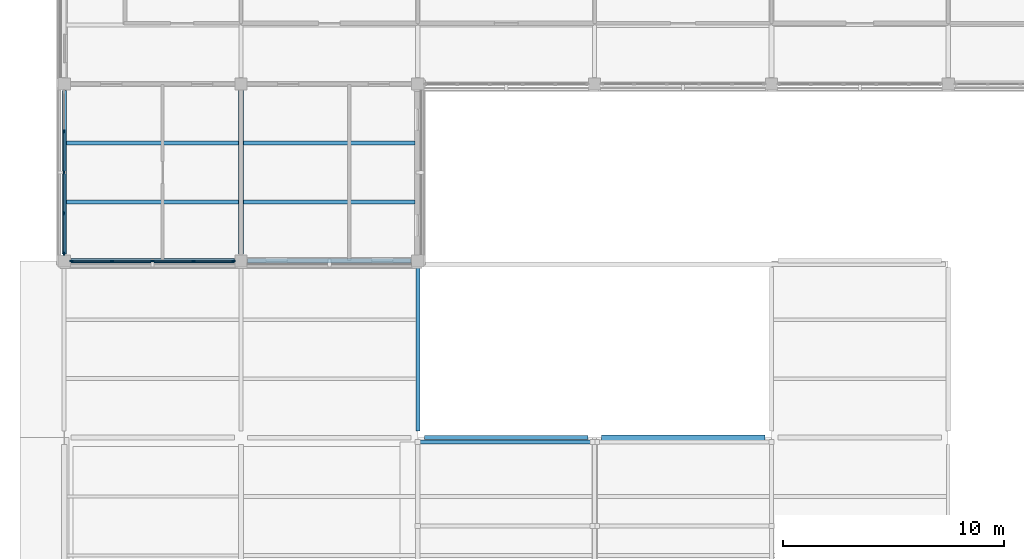
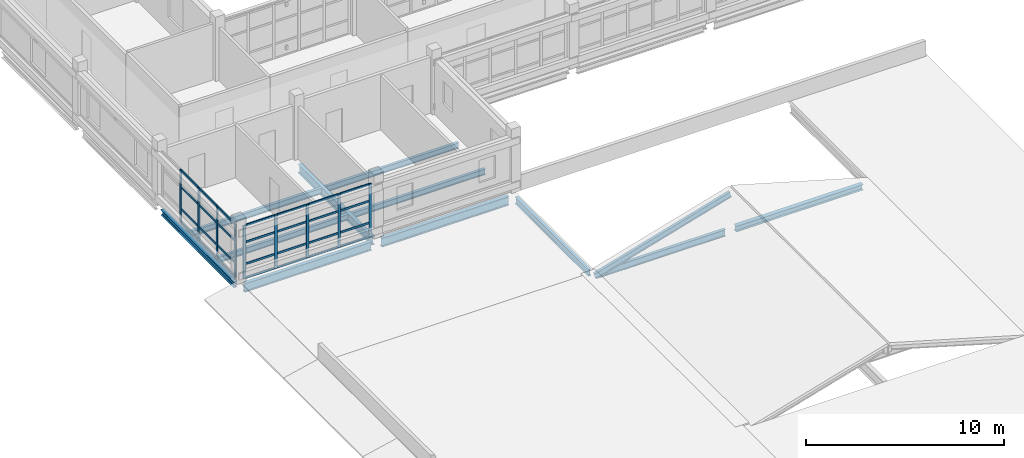
# One storey, part 8 of 107: 38 members, 11 beams, 2 elements without a shape of their own.
"""IFC4 building model written with IfcOpenShell, lengths in metres."""

from ifc_helpers import new_model, si_unit, derived_unit, direction, frame, origin, origin_2d, place, context, subcontext, project, spatial, rectangle, i_section, extrude, material, layer, layer_set, material_profile, profile_set, type_object, element, aggregate, save


model = new_model("IFC4")

# Units and contexts
model_context = context("Model", 3, precision=1e-05, world=origin(), true_north=direction((0.0, 1.0)))
body_context = subcontext(model_context, "Body", "Model", "MODEL_VIEW")
ifc_project = project(units=[si_unit("LENGTHUNIT", "METRE"), si_unit("AREAUNIT", "SQUARE_METRE"), si_unit("VOLUMEUNIT", "CUBIC_METRE"), si_unit("PLANEANGLEUNIT", "RADIAN"), si_unit("MASSUNIT", "GRAM", prefix="KILO"), derived_unit("THERMALTRANSMITTANCEUNIT", [(si_unit("MASSUNIT", "GRAM", prefix="KILO"), 1), (si_unit("TIMEUNIT", "SECOND"), -3), (si_unit("THERMODYNAMICTEMPERATUREUNIT", "KELVIN"), -1)])], contexts=[model_context])

# Site, building, storey
site_placement = place(None, origin())
site = spatial("IfcSite", under=ifc_project, at=site_placement, CompositionType="ELEMENT")
building_placement = place(site_placement, origin())
building = spatial("IfcBuilding", under=site, at=building_placement, Name="Veyamyaing Civic Hall", CompositionType="ELEMENT")
storey_placement = place(building_placement, frame((0.0, 0.0, 13.860107421875)))
storey = spatial("IfcBuildingStorey", under=building, at=storey_placement, Name="L03", CompositionType="ELEMENT", Elevation=13.860107421875)

# Beams
ifc_material_1 = material(Name="Steel ASTM A992", Category="steel")
ifc_material_profile_1 = material_profile(ifc_material_1, i_section(OverallWidth=0.208984375, OverallDepth=0.532958984375, WebThickness=0.01025390625, FlangeThickness=0.015625, FilletRadius=0.011962890625, at=origin_2d()), Name="W530X92")
ifc_profile_set_1 = profile_set([ifc_material_profile_1], Name="Steel ASTM A992")
beam_type_1 = type_object("IfcBeamType", Name="B-07", PredefinedType="BEAM", material=ifc_profile_set_1)
beam_1_placement = place(storey_placement, frame((0.300048828125, 40.0, -0.521728515625), z_axis=(1.0, 0.0, 0.0), x_axis=(0.0, 1.0, 0.0)))
element("IfcBeam", 1, at=beam_1_placement, inside=storey, type_object=beam_type_1, Name="Girder B-07 L03 Grid F 1-2", PredefinedType="BEAM", context=body_context, shape_type="SweptSolid", body=[
    extrude(i_section(OverallWidth=0.208984375, OverallDepth=0.532958984375, WebThickness=0.01025390625, FlangeThickness=0.015625, FilletRadius=0.011962890625, at=origin_2d()), origin(), (0.0, 0.0, 1.0), 7.39990234375),
])
ifc_material_profile_2 = material_profile(ifc_material_1, i_section(OverallWidth=0.2041015625, OverallDepth=0.35009765625, WebThickness=0.0078125, FlangeThickness=0.01513671875, FilletRadius=0.010009765625, at=origin_2d()), Name="W360X72")
ifc_profile_set_2 = profile_set([ifc_material_profile_2], Name="Steel ASTM A992")
beam_type_2 = type_object("IfcBeamType", Name="B-11", PredefinedType="SPANDREL", material=ifc_profile_set_2)
beam_2_placement = place(storey_placement, frame((0.0, 40.300048828125, -0.43017578125), z_axis=(0.0, 1.0, 0.0), x_axis=(-1.0, 0.0, 0.0)))
element("IfcBeam", 2, at=beam_2_placement, inside=storey, type_object=beam_type_2, Name="Girder B-11 L03 Grid 1 F-G", PredefinedType="SPANDREL", context=body_context, shape_type="SweptSolid", body=[
    extrude(i_section(OverallWidth=0.2041015625, OverallDepth=0.35009765625, WebThickness=0.0078125, FlangeThickness=0.01513671875, FilletRadius=0.010009765625, at=origin_2d()), origin(), (0.0, 0.0, 1.0), 7.39990234375),
])
ifc_material_profile_3 = material_profile(ifc_material_1, i_section(OverallWidth=0.214111328125, OverallDepth=0.549072265625, WebThickness=0.0146484375, FlangeThickness=0.023681640625, FilletRadius=0.011962890625, at=origin_2d()), Name="W530X138")
ifc_profile_set_3 = profile_set([ifc_material_profile_3], Name="Steel ASTM A992")
beam_type_3 = type_object("IfcBeamType", Name="B-16", PredefinedType="BEAM", material=ifc_profile_set_3)
beam_3_placement = place(storey_placement, frame((8.300048828125, 40.0, -0.529541015625), z_axis=(1.0, 0.0, 0.0), x_axis=(0.0, 1.0, 0.0)))
element("IfcBeam", 3, at=beam_3_placement, inside=storey, type_object=beam_type_3, Name="Girder B-16 L03 Grid F 2-3", PredefinedType="BEAM", context=body_context, shape_type="SweptSolid", body=[
    extrude(i_section(OverallWidth=0.214111328125, OverallDepth=0.549072265625, WebThickness=0.0146484375, FlangeThickness=0.023681640625, FilletRadius=0.011962890625, at=origin_2d()), origin(), (0.0, 0.0, 1.0), 7.39990234375),
])
ifc_material_profile_4 = material_profile(ifc_material_1, i_section(OverallWidth=0.2109375, OverallDepth=0.5390625, WebThickness=0.01171875, FlangeThickness=0.018798828125, FilletRadius=0.011962890625, at=origin_2d()), Name="W530X109")
ifc_profile_set_4 = profile_set([ifc_material_profile_4], Name="Steel ASTM A992")
beam_type_4 = type_object("IfcBeamType", Name="B-17", PredefinedType="BEAM", material=ifc_profile_set_4)
beam_4_placement = place(storey_placement, frame((8.0, 40.300048828125, -0.524658203125), z_axis=(0.0, 1.0, 0.0), x_axis=(-1.0, 0.0, 0.0)))
element("IfcBeam", 4, at=beam_4_placement, inside=storey, type_object=beam_type_4, Name="Girder B-17 L03 Grid 2 F-G", PredefinedType="BEAM", context=body_context, shape_type="SweptSolid", body=[
    extrude(i_section(OverallWidth=0.2109375, OverallDepth=0.5390625, WebThickness=0.01171875, FlangeThickness=0.018798828125, FilletRadius=0.011962890625, at=origin_2d()), origin(), (0.0, 0.0, 1.0), 7.39990234375),
])
ifc_material_profile_5 = material_profile(ifc_material_1, i_section(OverallWidth=0.180908203125, OverallDepth=0.4169921875, WebThickness=0.010986328125, FlangeThickness=0.018310546875, FilletRadius=0.010009765625, at=origin_2d()), Name="W410X85")
ifc_profile_set_5 = profile_set([ifc_material_profile_5], Name="Steel ASTM A992")
beam_type_5 = type_object("IfcBeamType", Name="B-19", PredefinedType="SPANDREL", material=ifc_profile_set_5)
for number, where, z_axis, x_axis, name in (
    (5, (16.300048828125, 32.0, -0.463623046875), (1.0, 0.0, 0.0), (0.0, 1.0, 0.0), "Girder B-19 L03 Grid E 3-4"),
    (6, (16.0, 32.300048828125, -0.448486328125), (0.0, 1.0, 0.0), (-1.0, 0.0, 0.0), "Girder B-19 L03 Grid 3 E-F"),
):
    element("IfcBeam", number, at=place(storey_placement, frame(where, z_axis=z_axis, x_axis=x_axis)), inside=storey, type_object=beam_type_5, Name=name, PredefinedType="SPANDREL", context=body_context, shape_type="SweptSolid", body=[
        extrude(i_section(OverallWidth=0.180908203125, OverallDepth=0.4169921875, WebThickness=0.010986328125, FlangeThickness=0.018310546875, FilletRadius=0.010009765625, at=origin_2d()), origin(), (0.0, 0.0, 1.0), 7.39990234375),
    ])
ifc_material_profile_6 = material_profile(ifc_material_1, i_section(OverallWidth=0.25390625, OverallDepth=0.35302734375, WebThickness=0.009521484375, FlangeThickness=0.016357421875, FilletRadius=0.011962890625, at=origin_2d()), Name="W360X91")
ifc_profile_set_6 = profile_set([ifc_material_profile_6], Name="Steel ASTM A992")
beam_type_6 = type_object("IfcBeamType", Name="B-20", PredefinedType="SPANDREL", material=ifc_profile_set_6)
beam_5_placement = place(storey_placement, frame((24.300048828125, 32.0, -0.431640625), z_axis=(1.0, 0.0, 0.0), x_axis=(0.0, 1.0, 0.0)))
element("IfcBeam", 7, at=beam_5_placement, inside=storey, type_object=beam_type_6, Name="Girder B-20 L03 Grid E 4-5", PredefinedType="SPANDREL", context=body_context, shape_type="SweptSolid", body=[
    extrude(i_section(OverallWidth=0.25390625, OverallDepth=0.35302734375, WebThickness=0.009521484375, FlangeThickness=0.016357421875, FilletRadius=0.011962890625, at=origin_2d()), origin(), (0.0, 0.0, 1.0), 7.39990234375),
])

# Curtain wall, members
ifc_material_2 = material(Name="Anodised aluminium 6063-T6", Category="aluminium")
ifc_layer = layer(ifc_material_2, 0.159912109375, Name="Anodised aluminium 6063-T6")
ifc_layer_set = layer_set([ifc_layer], Name="Anodised aluminium 6063-T6")
curtain_wall_type = type_object("IfcCurtainWallType", Name="CW-07", PredefinedType="NOTDEFINED", material=ifc_layer_set)
curtain_wall_1_placement = place(storey_placement, origin())
curtain_wall_1 = element("IfcCurtainWall", 8, at=curtain_wall_1_placement, inside=storey, type_object=curtain_wall_type, Name="Unitized curtain wall CW-07 L03 S 1.6", PredefinedType="NOTDEFINED")
ifc_material_profile_7 = material_profile(ifc_material_2, rectangle(XDim=0.06494140625, YDim=0.159912109375, at=origin_2d()), Name="ALU-MUL-65X160")
ifc_profile_set_7 = profile_set([ifc_material_profile_7], Name="Anodised aluminium 6063-T6")
member_type_1 = type_object("IfcMemberType", Name="CWM-01", PredefinedType="MULLION", material=ifc_profile_set_7)
member_1_placement = place(storey_placement, frame((0.33740234375, 40.0, 0.0), z_axis=(0.0, 0.0, 1.0), x_axis=(0.0, 1.0, 0.0)))
member_1 = element("IfcMember", 9, at=member_1_placement, type_object=member_type_1, Name="CW-07 mullion 1", PredefinedType="MULLION", context=body_context, shape_type="SweptSolid", body=[
    extrude(rectangle(XDim=0.06494140625, YDim=0.159912109375, at=origin_2d()), origin(), (0.0, 0.0, 1.0), 3.2998046875),
])
member_2_placement = place(storey_placement, frame((2.152587890625, 40.0, 0.0), z_axis=(0.0, 0.0, 1.0), x_axis=(0.0, 1.0, 0.0)))
member_2 = element("IfcMember", 10, at=member_2_placement, type_object=member_type_1, Name="CW-07 mullion 2", PredefinedType="MULLION", context=body_context, shape_type="SweptSolid", body=[
    extrude(rectangle(XDim=0.06494140625, YDim=0.159912109375, at=origin_2d()), origin(), (0.0, 0.0, 1.0), 3.2998046875),
])
member_3_placement = place(storey_placement, frame((4.0, 40.0, 0.0), z_axis=(0.0, 0.0, 1.0), x_axis=(0.0, 1.0, 0.0)))
member_3 = element("IfcMember", 11, at=member_3_placement, type_object=member_type_1, Name="CW-07 mullion 3", PredefinedType="MULLION", context=body_context, shape_type="SweptSolid", body=[
    extrude(rectangle(XDim=0.06494140625, YDim=0.159912109375, at=origin_2d()), origin(), (0.0, 0.0, 1.0), 3.2998046875),
])
member_4_placement = place(storey_placement, frame((5.847412109375, 40.0, 0.0), z_axis=(0.0, 0.0, 1.0), x_axis=(0.0, 1.0, 0.0)))
member_4 = element("IfcMember", 12, at=member_4_placement, type_object=member_type_1, Name="CW-07 mullion 4", PredefinedType="MULLION", context=body_context, shape_type="SweptSolid", body=[
    extrude(rectangle(XDim=0.06494140625, YDim=0.159912109375, at=origin_2d()), origin(), (0.0, 0.0, 1.0), 3.2998046875),
])
member_5_placement = place(storey_placement, frame((7.66259765625, 40.0, 0.0), z_axis=(0.0, 0.0, 1.0), x_axis=(0.0, 1.0, 0.0)))
member_5 = element("IfcMember", 13, at=member_5_placement, type_object=member_type_1, Name="CW-07 mullion 5", PredefinedType="MULLION", context=body_context, shape_type="SweptSolid", body=[
    extrude(rectangle(XDim=0.06494140625, YDim=0.159912109375, at=origin_2d()), origin(), (0.0, 0.0, 1.0), 3.2998046875),
])

curtain_wall_2_placement = place(storey_placement, origin())
curtain_wall_2 = element("IfcCurtainWall", 14, at=curtain_wall_2_placement, inside=storey, type_object=curtain_wall_type, Name="Unitized curtain wall CW-07 L03 W 1.6", PredefinedType="NOTDEFINED")
member_6_placement = place(storey_placement, frame((0.0, 40.33740234375, 0.0), z_axis=(0.0, 0.0, 1.0), x_axis=(-1.0, 0.0, 0.0)))
member_6 = element("IfcMember", 15, at=member_6_placement, type_object=member_type_1, Name="CW-07 mullion 1", PredefinedType="MULLION", context=body_context, shape_type="SweptSolid", body=[
    extrude(rectangle(XDim=0.06494140625, YDim=0.159912109375, at=origin_2d()), origin(), (0.0, 0.0, 1.0), 3.2998046875),
])
member_7_placement = place(storey_placement, frame((0.0, 42.152587890625, 0.0), z_axis=(0.0, 0.0, 1.0), x_axis=(-1.0, 0.0, 0.0)))
member_7 = element("IfcMember", 16, at=member_7_placement, type_object=member_type_1, Name="CW-07 mullion 2", PredefinedType="MULLION", context=body_context, shape_type="SweptSolid", body=[
    extrude(rectangle(XDim=0.06494140625, YDim=0.159912109375, at=origin_2d()), origin(), (0.0, 0.0, 1.0), 3.2998046875),
])
member_8_placement = place(storey_placement, frame((0.0, 44.0, 0.0), z_axis=(0.0, 0.0, 1.0), x_axis=(-1.0, 0.0, 0.0)))
member_8 = element("IfcMember", 17, at=member_8_placement, type_object=member_type_1, Name="CW-07 mullion 3", PredefinedType="MULLION", context=body_context, shape_type="SweptSolid", body=[
    extrude(rectangle(XDim=0.06494140625, YDim=0.159912109375, at=origin_2d()), origin(), (0.0, 0.0, 1.0), 3.2998046875),
])
member_9_placement = place(storey_placement, frame((0.0, 45.847412109375, 0.0), z_axis=(0.0, 0.0, 1.0), x_axis=(-1.0, 0.0, 0.0)))
member_9 = element("IfcMember", 18, at=member_9_placement, type_object=member_type_1, Name="CW-07 mullion 4", PredefinedType="MULLION", context=body_context, shape_type="SweptSolid", body=[
    extrude(rectangle(XDim=0.06494140625, YDim=0.159912109375, at=origin_2d()), origin(), (0.0, 0.0, 1.0), 3.2998046875),
])

# Member
ifc_material_profile_8 = material_profile(ifc_material_2, rectangle(XDim=0.06494140625, YDim=0.1201171875, at=origin_2d()), Name="ALU-TRN-65X120")
ifc_profile_set_8 = profile_set([ifc_material_profile_8], Name="Anodised aluminium 6063-T6")
member_type_2 = type_object("IfcMemberType", Name="CWT-01", PredefinedType="USERDEFINED", material=ifc_profile_set_8)
member_10_placement = place(storey_placement, frame((0.3701171875, 40.0, 0.032470703125), z_axis=(1.0, 0.0, 0.0), x_axis=(0.0, 1.0, 0.0)))
member_10 = element("IfcMember", 19, at=member_10_placement, type_object=member_type_2, Name="CW-07 transom 1.1", ObjectType="TRANSOM", PredefinedType="USERDEFINED", context=body_context, shape_type="SweptSolid", body=[
    extrude(rectangle(XDim=0.06494140625, YDim=0.1201171875, at=origin_2d()), origin(), (0.0, 0.0, 1.0), 1.75),
])

member_11_placement = place(storey_placement, frame((0.3701171875, 40.0, 0.89990234375), z_axis=(1.0, 0.0, 0.0), x_axis=(0.0, 1.0, 0.0)))
member_11 = element("IfcMember", 20, at=member_11_placement, type_object=member_type_2, Name="CW-07 transom 1.2", ObjectType="TRANSOM", PredefinedType="USERDEFINED", context=body_context, shape_type="SweptSolid", body=[
    extrude(rectangle(XDim=0.06494140625, YDim=0.1201171875, at=origin_2d()), origin(), (0.0, 0.0, 1.0), 1.75),
])

member_12_placement = place(storey_placement, frame((0.3701171875, 40.0, 2.243896484375), z_axis=(1.0, 0.0, 0.0), x_axis=(0.0, 1.0, 0.0)))
member_12 = element("IfcMember", 21, at=member_12_placement, type_object=member_type_2, Name="CW-07 transom 1.3", ObjectType="TRANSOM", PredefinedType="USERDEFINED", context=body_context, shape_type="SweptSolid", body=[
    extrude(rectangle(XDim=0.06494140625, YDim=0.1201171875, at=origin_2d()), origin(), (0.0, 0.0, 1.0), 1.75),
])

member_13_placement = place(storey_placement, frame((0.3701171875, 40.0, 3.267333984375), z_axis=(1.0, 0.0, 0.0), x_axis=(0.0, 1.0, 0.0)))
member_13 = element("IfcMember", 22, at=member_13_placement, type_object=member_type_2, Name="CW-07 transom 1.4", ObjectType="TRANSOM", PredefinedType="USERDEFINED", context=body_context, shape_type="SweptSolid", body=[
    extrude(rectangle(XDim=0.06494140625, YDim=0.1201171875, at=origin_2d()), origin(), (0.0, 0.0, 1.0), 1.75),
])

member_14_placement = place(storey_placement, frame((2.18505859375, 40.0, 0.032470703125), z_axis=(1.0, 0.0, 0.0), x_axis=(0.0, 1.0, 0.0)))
member_14 = element("IfcMember", 23, at=member_14_placement, type_object=member_type_2, Name="CW-07 transom 2.1", ObjectType="TRANSOM", PredefinedType="USERDEFINED", context=body_context, shape_type="SweptSolid", body=[
    extrude(rectangle(XDim=0.06494140625, YDim=0.1201171875, at=origin_2d()), origin(), (0.0, 0.0, 1.0), 1.782470703125),
])

member_15_placement = place(storey_placement, frame((2.18505859375, 40.0, 0.89990234375), z_axis=(1.0, 0.0, 0.0), x_axis=(0.0, 1.0, 0.0)))
member_15 = element("IfcMember", 24, at=member_15_placement, type_object=member_type_2, Name="CW-07 transom 2.2", ObjectType="TRANSOM", PredefinedType="USERDEFINED", context=body_context, shape_type="SweptSolid", body=[
    extrude(rectangle(XDim=0.06494140625, YDim=0.1201171875, at=origin_2d()), origin(), (0.0, 0.0, 1.0), 1.782470703125),
])

member_16_placement = place(storey_placement, frame((2.18505859375, 40.0, 2.243896484375), z_axis=(1.0, 0.0, 0.0), x_axis=(0.0, 1.0, 0.0)))
member_16 = element("IfcMember", 25, at=member_16_placement, type_object=member_type_2, Name="CW-07 transom 2.3", ObjectType="TRANSOM", PredefinedType="USERDEFINED", context=body_context, shape_type="SweptSolid", body=[
    extrude(rectangle(XDim=0.06494140625, YDim=0.1201171875, at=origin_2d()), origin(), (0.0, 0.0, 1.0), 1.782470703125),
])

member_17_placement = place(storey_placement, frame((2.18505859375, 40.0, 3.267333984375), z_axis=(1.0, 0.0, 0.0), x_axis=(0.0, 1.0, 0.0)))
member_17 = element("IfcMember", 26, at=member_17_placement, type_object=member_type_2, Name="CW-07 transom 2.4", ObjectType="TRANSOM", PredefinedType="USERDEFINED", context=body_context, shape_type="SweptSolid", body=[
    extrude(rectangle(XDim=0.06494140625, YDim=0.1201171875, at=origin_2d()), origin(), (0.0, 0.0, 1.0), 1.782470703125),
])

member_18_placement = place(storey_placement, frame((4.032470703125, 40.0, 0.032470703125), z_axis=(1.0, 0.0, 0.0), x_axis=(0.0, 1.0, 0.0)))
member_18 = element("IfcMember", 27, at=member_18_placement, type_object=member_type_2, Name="CW-07 transom 3.1", ObjectType="TRANSOM", PredefinedType="USERDEFINED", context=body_context, shape_type="SweptSolid", body=[
    extrude(rectangle(XDim=0.06494140625, YDim=0.1201171875, at=origin_2d()), origin(), (0.0, 0.0, 1.0), 1.782470703125),
])

member_19_placement = place(storey_placement, frame((4.032470703125, 40.0, 0.89990234375), z_axis=(1.0, 0.0, 0.0), x_axis=(0.0, 1.0, 0.0)))
member_19 = element("IfcMember", 28, at=member_19_placement, type_object=member_type_2, Name="CW-07 transom 3.2", ObjectType="TRANSOM", PredefinedType="USERDEFINED", context=body_context, shape_type="SweptSolid", body=[
    extrude(rectangle(XDim=0.06494140625, YDim=0.1201171875, at=origin_2d()), origin(), (0.0, 0.0, 1.0), 1.782470703125),
])

member_20_placement = place(storey_placement, frame((4.032470703125, 40.0, 2.243896484375), z_axis=(1.0, 0.0, 0.0), x_axis=(0.0, 1.0, 0.0)))
member_20 = element("IfcMember", 29, at=member_20_placement, type_object=member_type_2, Name="CW-07 transom 3.3", ObjectType="TRANSOM", PredefinedType="USERDEFINED", context=body_context, shape_type="SweptSolid", body=[
    extrude(rectangle(XDim=0.06494140625, YDim=0.1201171875, at=origin_2d()), origin(), (0.0, 0.0, 1.0), 1.782470703125),
])

member_21_placement = place(storey_placement, frame((4.032470703125, 40.0, 3.267333984375), z_axis=(1.0, 0.0, 0.0), x_axis=(0.0, 1.0, 0.0)))
member_21 = element("IfcMember", 30, at=member_21_placement, type_object=member_type_2, Name="CW-07 transom 3.4", ObjectType="TRANSOM", PredefinedType="USERDEFINED", context=body_context, shape_type="SweptSolid", body=[
    extrude(rectangle(XDim=0.06494140625, YDim=0.1201171875, at=origin_2d()), origin(), (0.0, 0.0, 1.0), 1.782470703125),
])

member_22_placement = place(storey_placement, frame((5.8798828125, 40.0, 0.032470703125), z_axis=(1.0, 0.0, 0.0), x_axis=(0.0, 1.0, 0.0)))
member_22 = element("IfcMember", 31, at=member_22_placement, type_object=member_type_2, Name="CW-07 transom 4.1", ObjectType="TRANSOM", PredefinedType="USERDEFINED", context=body_context, shape_type="SweptSolid", body=[
    extrude(rectangle(XDim=0.06494140625, YDim=0.1201171875, at=origin_2d()), origin(), (0.0, 0.0, 1.0), 1.75),
])

member_23_placement = place(storey_placement, frame((5.8798828125, 40.0, 0.89990234375), z_axis=(1.0, 0.0, 0.0), x_axis=(0.0, 1.0, 0.0)))
member_23 = element("IfcMember", 32, at=member_23_placement, type_object=member_type_2, Name="CW-07 transom 4.2", ObjectType="TRANSOM", PredefinedType="USERDEFINED", context=body_context, shape_type="SweptSolid", body=[
    extrude(rectangle(XDim=0.06494140625, YDim=0.1201171875, at=origin_2d()), origin(), (0.0, 0.0, 1.0), 1.75),
])

member_24_placement = place(storey_placement, frame((5.8798828125, 40.0, 2.243896484375), z_axis=(1.0, 0.0, 0.0), x_axis=(0.0, 1.0, 0.0)))
member_24 = element("IfcMember", 33, at=member_24_placement, type_object=member_type_2, Name="CW-07 transom 4.3", ObjectType="TRANSOM", PredefinedType="USERDEFINED", context=body_context, shape_type="SweptSolid", body=[
    extrude(rectangle(XDim=0.06494140625, YDim=0.1201171875, at=origin_2d()), origin(), (0.0, 0.0, 1.0), 1.75),
])

member_25_placement = place(storey_placement, frame((5.8798828125, 40.0, 3.267333984375), z_axis=(1.0, 0.0, 0.0), x_axis=(0.0, 1.0, 0.0)))
member_25 = element("IfcMember", 34, at=member_25_placement, type_object=member_type_2, Name="CW-07 transom 4.4", ObjectType="TRANSOM", PredefinedType="USERDEFINED", context=body_context, shape_type="SweptSolid", body=[
    extrude(rectangle(XDim=0.06494140625, YDim=0.1201171875, at=origin_2d()), origin(), (0.0, 0.0, 1.0), 1.75),
])

aggregate(curtain_wall_1, [member_1, member_2, member_3, member_4, member_5, member_10, member_11, member_12, member_13, member_14, member_15, member_16, member_17, member_18, member_19, member_20, member_21, member_22, member_23, member_24, member_25])

member_26_placement = place(storey_placement, frame((0.0, 40.3701171875, 0.032470703125), z_axis=(0.0, 1.0, 0.0), x_axis=(-1.0, 0.0, 0.0)))
member_26 = element("IfcMember", 35, at=member_26_placement, type_object=member_type_2, Name="CW-07 transom 1.1", ObjectType="TRANSOM", PredefinedType="USERDEFINED", context=body_context, shape_type="SweptSolid", body=[
    extrude(rectangle(XDim=0.06494140625, YDim=0.1201171875, at=origin_2d()), origin(), (0.0, 0.0, 1.0), 1.75),
])

member_27_placement = place(storey_placement, frame((0.0, 40.3701171875, 0.89990234375), z_axis=(0.0, 1.0, 0.0), x_axis=(-1.0, 0.0, 0.0)))
member_27 = element("IfcMember", 36, at=member_27_placement, type_object=member_type_2, Name="CW-07 transom 1.2", ObjectType="TRANSOM", PredefinedType="USERDEFINED", context=body_context, shape_type="SweptSolid", body=[
    extrude(rectangle(XDim=0.06494140625, YDim=0.1201171875, at=origin_2d()), origin(), (0.0, 0.0, 1.0), 1.75),
])

member_28_placement = place(storey_placement, frame((0.0, 40.3701171875, 2.243896484375), z_axis=(0.0, 1.0, 0.0), x_axis=(-1.0, 0.0, 0.0)))
member_28 = element("IfcMember", 37, at=member_28_placement, type_object=member_type_2, Name="CW-07 transom 1.3", ObjectType="TRANSOM", PredefinedType="USERDEFINED", context=body_context, shape_type="SweptSolid", body=[
    extrude(rectangle(XDim=0.06494140625, YDim=0.1201171875, at=origin_2d()), origin(), (0.0, 0.0, 1.0), 1.75),
])

member_29_placement = place(storey_placement, frame((0.0, 40.3701171875, 3.267333984375), z_axis=(0.0, 1.0, 0.0), x_axis=(-1.0, 0.0, 0.0)))
member_29 = element("IfcMember", 38, at=member_29_placement, type_object=member_type_2, Name="CW-07 transom 1.4", ObjectType="TRANSOM", PredefinedType="USERDEFINED", context=body_context, shape_type="SweptSolid", body=[
    extrude(rectangle(XDim=0.06494140625, YDim=0.1201171875, at=origin_2d()), origin(), (0.0, 0.0, 1.0), 1.75),
])

member_30_placement = place(storey_placement, frame((0.0, 42.18505859375, 0.032470703125), z_axis=(0.0, 1.0, 0.0), x_axis=(-1.0, 0.0, 0.0)))
member_30 = element("IfcMember", 39, at=member_30_placement, type_object=member_type_2, Name="CW-07 transom 2.1", ObjectType="TRANSOM", PredefinedType="USERDEFINED", context=body_context, shape_type="SweptSolid", body=[
    extrude(rectangle(XDim=0.06494140625, YDim=0.1201171875, at=origin_2d()), origin(), (0.0, 0.0, 1.0), 1.782470703125),
])

member_31_placement = place(storey_placement, frame((0.0, 42.18505859375, 0.89990234375), z_axis=(0.0, 1.0, 0.0), x_axis=(-1.0, 0.0, 0.0)))
member_31 = element("IfcMember", 40, at=member_31_placement, type_object=member_type_2, Name="CW-07 transom 2.2", ObjectType="TRANSOM", PredefinedType="USERDEFINED", context=body_context, shape_type="SweptSolid", body=[
    extrude(rectangle(XDim=0.06494140625, YDim=0.1201171875, at=origin_2d()), origin(), (0.0, 0.0, 1.0), 1.782470703125),
])

member_32_placement = place(storey_placement, frame((0.0, 42.18505859375, 2.243896484375), z_axis=(0.0, 1.0, 0.0), x_axis=(-1.0, 0.0, 0.0)))
member_32 = element("IfcMember", 41, at=member_32_placement, type_object=member_type_2, Name="CW-07 transom 2.3", ObjectType="TRANSOM", PredefinedType="USERDEFINED", context=body_context, shape_type="SweptSolid", body=[
    extrude(rectangle(XDim=0.06494140625, YDim=0.1201171875, at=origin_2d()), origin(), (0.0, 0.0, 1.0), 1.782470703125),
])

member_33_placement = place(storey_placement, frame((0.0, 42.18505859375, 3.267333984375), z_axis=(0.0, 1.0, 0.0), x_axis=(-1.0, 0.0, 0.0)))
member_33 = element("IfcMember", 42, at=member_33_placement, type_object=member_type_2, Name="CW-07 transom 2.4", ObjectType="TRANSOM", PredefinedType="USERDEFINED", context=body_context, shape_type="SweptSolid", body=[
    extrude(rectangle(XDim=0.06494140625, YDim=0.1201171875, at=origin_2d()), origin(), (0.0, 0.0, 1.0), 1.782470703125),
])

member_34_placement = place(storey_placement, frame((0.0, 44.032470703125, 0.032470703125), z_axis=(0.0, 1.0, 0.0), x_axis=(-1.0, 0.0, 0.0)))
member_34 = element("IfcMember", 43, at=member_34_placement, type_object=member_type_2, Name="CW-07 transom 3.1", ObjectType="TRANSOM", PredefinedType="USERDEFINED", context=body_context, shape_type="SweptSolid", body=[
    extrude(rectangle(XDim=0.06494140625, YDim=0.1201171875, at=origin_2d()), origin(), (0.0, 0.0, 1.0), 1.782470703125),
])

member_35_placement = place(storey_placement, frame((0.0, 44.032470703125, 0.89990234375), z_axis=(0.0, 1.0, 0.0), x_axis=(-1.0, 0.0, 0.0)))
member_35 = element("IfcMember", 44, at=member_35_placement, type_object=member_type_2, Name="CW-07 transom 3.2", ObjectType="TRANSOM", PredefinedType="USERDEFINED", context=body_context, shape_type="SweptSolid", body=[
    extrude(rectangle(XDim=0.06494140625, YDim=0.1201171875, at=origin_2d()), origin(), (0.0, 0.0, 1.0), 1.782470703125),
])

member_36_placement = place(storey_placement, frame((0.0, 44.032470703125, 2.243896484375), z_axis=(0.0, 1.0, 0.0), x_axis=(-1.0, 0.0, 0.0)))
member_36 = element("IfcMember", 45, at=member_36_placement, type_object=member_type_2, Name="CW-07 transom 3.3", ObjectType="TRANSOM", PredefinedType="USERDEFINED", context=body_context, shape_type="SweptSolid", body=[
    extrude(rectangle(XDim=0.06494140625, YDim=0.1201171875, at=origin_2d()), origin(), (0.0, 0.0, 1.0), 1.782470703125),
])

member_37_placement = place(storey_placement, frame((0.0, 44.032470703125, 3.267333984375), z_axis=(0.0, 1.0, 0.0), x_axis=(-1.0, 0.0, 0.0)))
member_37 = element("IfcMember", 46, at=member_37_placement, type_object=member_type_2, Name="CW-07 transom 3.4", ObjectType="TRANSOM", PredefinedType="USERDEFINED", context=body_context, shape_type="SweptSolid", body=[
    extrude(rectangle(XDim=0.06494140625, YDim=0.1201171875, at=origin_2d()), origin(), (0.0, 0.0, 1.0), 1.782470703125),
])

aggregate(curtain_wall_2, [member_6, member_7, member_8, member_9, member_26, member_27, member_28, member_29, member_30, member_31, member_32, member_33, member_34, member_35, member_36, member_37])

# Beams
ifc_material_profile_9 = material_profile(ifc_material_1, i_section(OverallWidth=0.172119140625, OverallDepth=0.35791015625, WebThickness=0.0078125, FlangeThickness=0.01318359375, FilletRadius=0.010009765625, at=origin_2d()), Name="W360X57")
ifc_profile_set_9 = profile_set([ifc_material_profile_9], Name="Steel ASTM A992")
beam_type_7 = type_object("IfcBeamType", Name="J-02", PredefinedType="JOIST", material=ifc_profile_set_9)
for number, where, z_axis, x_axis, name in (
    (47, (0.10009765625, 42.666748046875, -0.43408203125), (1.0, 0.0, 0.0), (0.0, 1.0, 0.0), "Composite floor joist J-02 L03 1.6.1"),
    (48, (0.10009765625, 45.333251953125, -0.43408203125), (1.0, 0.0, 0.0), (0.0, 1.0, 0.0), "Composite floor joist J-02 L03 1.6.2"),
):
    element("IfcBeam", number, at=place(storey_placement, frame(where, z_axis=z_axis, x_axis=x_axis)), inside=storey, type_object=beam_type_7, Name=name, PredefinedType="JOIST", context=body_context, shape_type="SweptSolid", body=[
        extrude(i_section(OverallWidth=0.172119140625, OverallDepth=0.35791015625, WebThickness=0.0078125, FlangeThickness=0.01318359375, FilletRadius=0.010009765625, at=origin_2d()), origin(), (0.0, 0.0, 1.0), 7.79638671875),
    ])
ifc_material_profile_10 = material_profile(ifc_material_1, i_section(OverallWidth=0.1708984375, OverallDepth=0.35205078125, WebThickness=0.0068359375, FlangeThickness=0.009765625, FilletRadius=0.010009765625, at=origin_2d()), Name="W360X44")
ifc_profile_set_10 = profile_set([ifc_material_profile_10], Name="Steel ASTM A992")
beam_type_8 = type_object("IfcBeamType", Name="J-03", PredefinedType="JOIST", material=ifc_profile_set_10)
for number, where, z_axis, x_axis, name in (
    (49, (8.103515625, 42.666748046875, -0.43115234375), (1.0, 0.0, 0.0), (0.0, 1.0, 0.0), "Composite floor joist J-03 L03 2.6.1"),
    (50, (8.103515625, 45.333251953125, -0.43115234375), (1.0, 0.0, 0.0), (0.0, 1.0, 0.0), "Composite floor joist J-03 L03 2.6.2"),
):
    element("IfcBeam", number, at=place(storey_placement, frame(where, z_axis=z_axis, x_axis=x_axis)), inside=storey, type_object=beam_type_8, Name=name, PredefinedType="JOIST", context=body_context, shape_type="SweptSolid", body=[
        extrude(i_section(OverallWidth=0.1708984375, OverallDepth=0.35205078125, WebThickness=0.0068359375, FlangeThickness=0.009765625, FilletRadius=0.010009765625, at=origin_2d()), origin(), (0.0, 0.0, 1.0), 7.771484375),
    ])

# Member
ifc_material_profile_11 = material_profile(ifc_material_1, i_section(OverallWidth=0.1708984375, OverallDepth=0.35205078125, WebThickness=0.0068359375, FlangeThickness=0.009765625, FilletRadius=0.010009765625, at=origin_2d()), Name="W360X44")
ifc_profile_set_11 = profile_set([ifc_material_profile_11], Name="Steel ASTM A992")
member_type_3 = type_object("IfcMemberType", Name="RF-01", PredefinedType="RAFTER", material=ifc_profile_set_11)
member_38_placement = place(storey_placement, frame((16.0, 31.800048828125, -0.35009765625), z_axis=(0.960133486901, 0.0, 0.279541924102), x_axis=(0.0, 1.0, 0.0)))
element("IfcMember", 51, at=member_38_placement, inside=storey, type_object=member_type_3, Name="Public Hall Lantern Rafter RF-01 W.5", PredefinedType="RAFTER", context=body_context, shape_type="SweptSolid", body=[
    extrude(i_section(OverallWidth=0.1708984375, OverallDepth=0.35205078125, WebThickness=0.0068359375, FlangeThickness=0.009765625, FilletRadius=0.010009765625, at=origin_2d()), origin(), (0.0, 0.0, 1.0), 8.22802734375),
])

save(model, "model.ifc")
